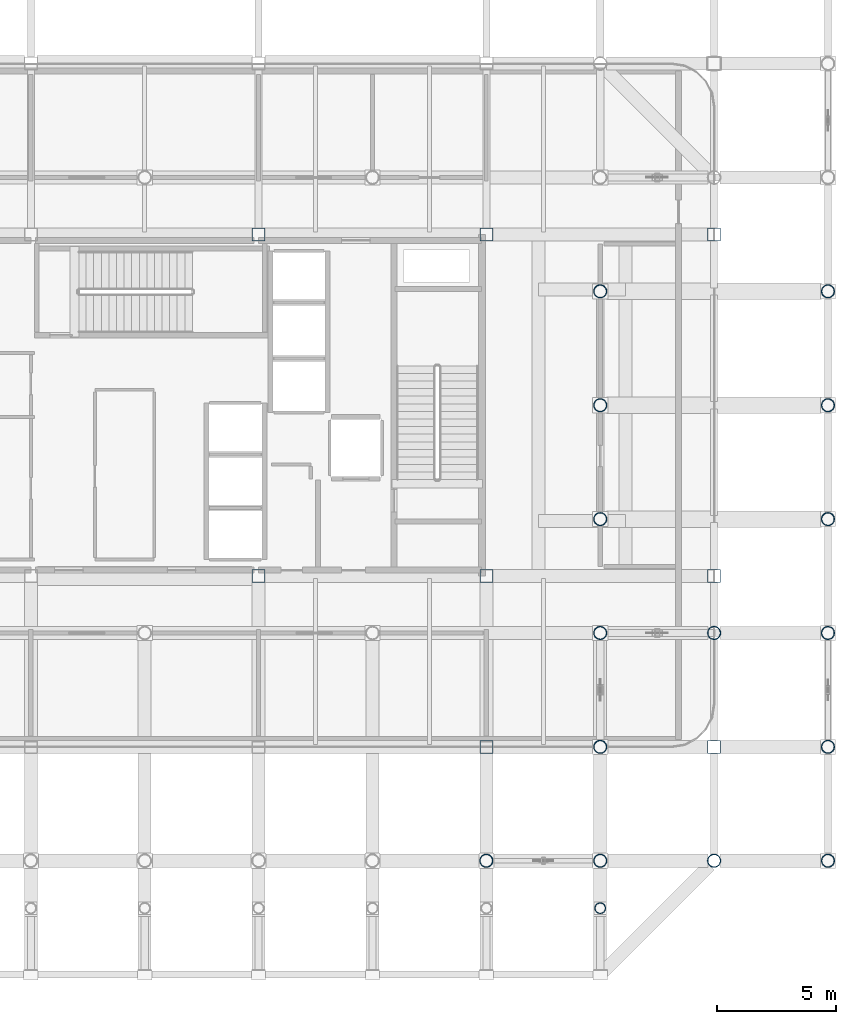
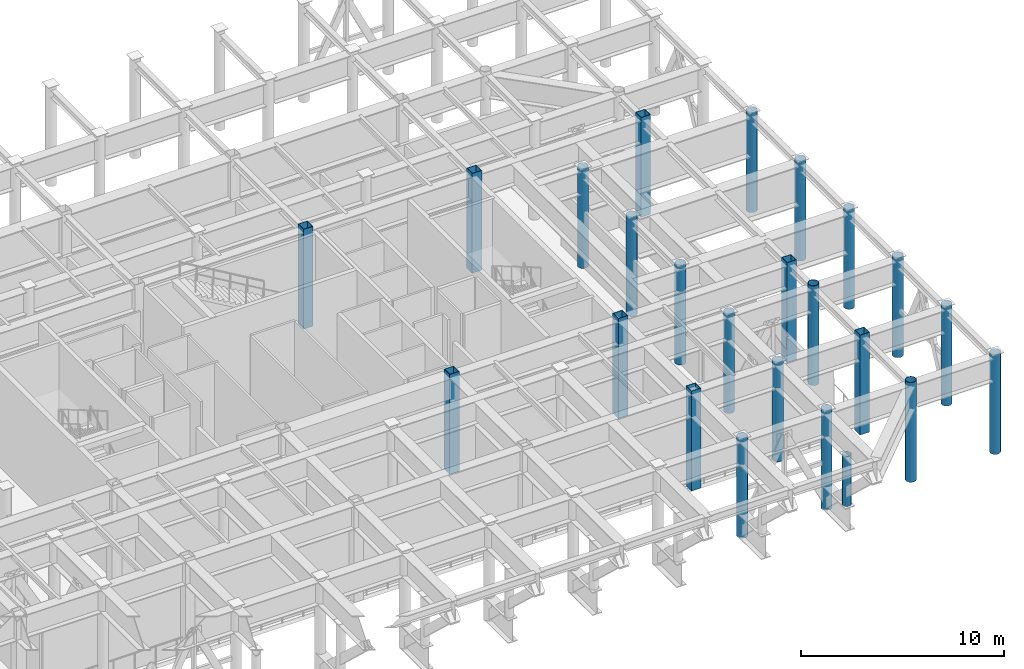
# One storey, part 2 of 20: 24 columns.
"""IFC4 building model written with IfcOpenShell, lengths in metres."""

from ifc_helpers import new_model, si_unit, direction, frame, origin, origin_2d, place, context, subcontext, project, spatial, hollow_rectangle, hollow_circle, extrude, material, material_profile, profile_set, type_object, element, save


model = new_model("IFC4")

# Units and contexts
model_context = context("Model", 3, precision=1e-05, world=origin(), true_north=direction((0.0, 1.0)))
body_context = subcontext(model_context, "Body", "Model", "MODEL_VIEW")
ifc_project = project(units=[si_unit("LENGTHUNIT", "METRE"), si_unit("AREAUNIT", "SQUARE_METRE"), si_unit("VOLUMEUNIT", "CUBIC_METRE"), si_unit("PLANEANGLEUNIT", "RADIAN"), si_unit("MASSUNIT", "GRAM", prefix="KILO")], contexts=[model_context])

# Site, building, storey
site_placement = place(None, origin())
site = spatial("IfcSite", under=ifc_project, at=site_placement, CompositionType="ELEMENT")
building_placement = place(site_placement, origin())
building = spatial("IfcBuilding", under=site, at=building_placement, Name="Kallvorn Hotel Tower", CompositionType="ELEMENT")
storey_placement = place(building_placement, frame((0.0, 0.0, 276.199951171875)))
storey = spatial("IfcBuildingStorey", under=building, at=storey_placement, Name="L69", CompositionType="ELEMENT", Elevation=276.199951171875)

# Columns
ifc_material_1 = material(Name="Structural steel S355J2H", Category="steel")
ifc_material_profile_1 = material_profile(ifc_material_1, hollow_circle(Radius=0.228515625, WallThickness=0.02001953125, at=origin_2d()), Name="CHS 457x20")
ifc_profile_set_1 = profile_set([ifc_material_profile_1], Name="Structural steel S355J2H")
column_type_1 = type_object("IfcColumnType", Name="COL_CHS_457", PredefinedType="COLUMN", material=ifc_profile_set_1)
column_placement = place(storey_placement, frame((19.199951171875, -21.199951171875, 1.400146484375), z_axis=(0.0, 0.0, 1.0), x_axis=(1.0, 0.0, 0.0)))
element("IfcColumn", 1, at=column_placement, inside=storey, type_object=column_type_1, Name="L70 Cantilever Haunch Prop Column 10", PredefinedType="COLUMN", context=body_context, shape_type="SweptSolid", body=[
    extrude(hollow_circle(Radius=0.228515625, WallThickness=0.02001953125, at=origin_2d()), origin(), (0.0, 0.0, 1.0), 3.02001953125),
])
ifc_material_2 = material(Name="Structural steel S355J2H", Category="steel")
ifc_material_profile_2 = material_profile(ifc_material_2, hollow_circle(Radius=0.279541015625, WallThickness=0.02490234375, at=origin_2d()), Name="CHS 559x25")
ifc_profile_set_2 = profile_set([ifc_material_profile_2], Name="Structural steel S355J2H")
column_type_2 = type_object("IfcColumnType", Name="COL_CHS_559", PredefinedType="COLUMN", material=ifc_profile_set_2)
for number, where, z_axis, x_axis, name in (
    (2, (14.39990234375, -19.199951171875, 0.0), (0.0, 0.0, 1.0), (1.0, 0.0, 0.0), "L69 Exoskeleton Column EC58"),
    (3, (19.199951171875, -19.199951171875, 0.0), (0.0, 0.0, 1.0), (1.0, 0.0, 0.0), "L69 Exoskeleton Column EC61"),
    (4, (19.199951171875, -14.39990234375, 0.0), (0.0, 0.0, 1.0), (1.0, 0.0, 0.0), "L69 Exoskeleton Column EC62"),
    (5, (19.199951171875, -9.60009765625, 0.0), (0.0, 0.0, 1.0), (1.0, 0.0, 0.0), "L69 Exoskeleton Column EC63"),
    (6, (19.199951171875, -4.800048828125, 0.0), (0.0, 0.0, 1.0), (1.0, 0.0, 0.0), "L69 Exoskeleton Column EC64"),
    (7, (19.199951171875, 0.0, 0.0), (0.0, 0.0, 1.0), (1.0, 0.0, 0.0), "L69 Exoskeleton Column EC65"),
    (8, (19.199951171875, 4.800048828125, 0.0), (0.0, 0.0, 1.0), (1.0, 0.0, 0.0), "L69 Exoskeleton Column EC66"),
    (9, (24.0, -19.199951171875, 0.0), (0.0, 0.0, 1.0), (1.0, 0.0, 0.0), "L69 Exoskeleton Column EC71"),
    (10, (24.0, -9.60009765625, 0.0), (0.0, 0.0, 1.0), (1.0, 0.0, 0.0), "L69 Exoskeleton Column EC72"),
    (11, (28.800048828125, -19.199951171875, 0.0), (0.0, 0.0, 1.0), (1.0, 0.0, 0.0), "L69 Exoskeleton Column EC76"),
    (12, (28.800048828125, -14.39990234375, 0.0), (0.0, 0.0, 1.0), (1.0, 0.0, 0.0), "L69 Exoskeleton Column EC77"),
    (13, (28.800048828125, -9.60009765625, 0.0), (0.0, 0.0, 1.0), (1.0, 0.0, 0.0), "L69 Exoskeleton Column EC78"),
    (14, (28.800048828125, -4.800048828125, 0.0), (0.0, 0.0, 1.0), (1.0, 0.0, 0.0), "L69 Exoskeleton Column EC79"),
    (15, (28.800048828125, 0.0, 0.0), (0.0, 0.0, 1.0), (1.0, 0.0, 0.0), "L69 Exoskeleton Column EC80"),
    (16, (28.800048828125, 4.800048828125, 0.0), (0.0, 0.0, 1.0), (1.0, 0.0, 0.0), "L69 Exoskeleton Column EC81"),
):
    element("IfcColumn", number, at=place(storey_placement, frame(where, z_axis=z_axis, x_axis=x_axis)), inside=storey, type_object=column_type_2, Name=name, PredefinedType="COLUMN", context=body_context, shape_type="SweptSolid", body=[
        extrude(hollow_circle(Radius=0.279541015625, WallThickness=0.02490234375, at=origin_2d()), origin(), (0.0, 0.0, 1.0), 6.0),
    ])
ifc_material_3 = material(Name="Structural steel S355J2H", Category="steel")
ifc_material_profile_3 = material_profile(ifc_material_3, hollow_rectangle(XDim=0.550048828125, YDim=0.550048828125, WallThickness=0.02490234375, at=origin_2d()), Name="RHS 550x550x25")
ifc_profile_set_3 = profile_set([ifc_material_profile_3], Name="Structural steel S355J2H")
column_type_3 = type_object("IfcColumnType", Name="COL_RHS_550", PredefinedType="COLUMN", material=ifc_profile_set_3)
for number, where, z_axis, x_axis, name in (
    (17, (4.800048828125, -7.199951171875, 0.0), (0.0, 0.0, 1.0), (1.0, 0.0, 0.0), "L69 Inner Column IC14"),
    (18, (4.800048828125, 7.199951171875, 0.0), (0.0, 0.0, 1.0), (1.0, 0.0, 0.0), "L69 Inner Column IC15"),
    (19, (14.39990234375, -14.39990234375, 0.0), (0.0, 0.0, 1.0), (1.0, 0.0, 0.0), "L69 Inner Column IC17"),
    (20, (14.39990234375, -7.199951171875, 0.0), (0.0, 0.0, 1.0), (1.0, 0.0, 0.0), "L69 Inner Column IC18"),
    (21, (14.39990234375, 7.199951171875, 0.0), (0.0, 0.0, 1.0), (1.0, 0.0, 0.0), "L69 Inner Column IC19"),
    (22, (24.0, -14.39990234375, 0.0), (0.0, 0.0, 1.0), (1.0, 0.0, 0.0), "L69 Inner Column IC21"),
    (23, (24.0, -7.199951171875, 0.0), (0.0, 0.0, 1.0), (1.0, 0.0, 0.0), "L69 Inner Column IC22"),
    (24, (24.0, 7.199951171875, 0.0), (0.0, 0.0, 1.0), (1.0, 0.0, 0.0), "L69 Inner Column IC23"),
):
    element("IfcColumn", number, at=place(storey_placement, frame(where, z_axis=z_axis, x_axis=x_axis)), inside=storey, type_object=column_type_3, Name=name, PredefinedType="COLUMN", context=body_context, shape_type="SweptSolid", body=[
        extrude(hollow_rectangle(XDim=0.550048828125, YDim=0.550048828125, WallThickness=0.02490234375, at=origin_2d()), origin(), (0.0, 0.0, 1.0), 6.0),
    ])

save(model, "model.ifc")
